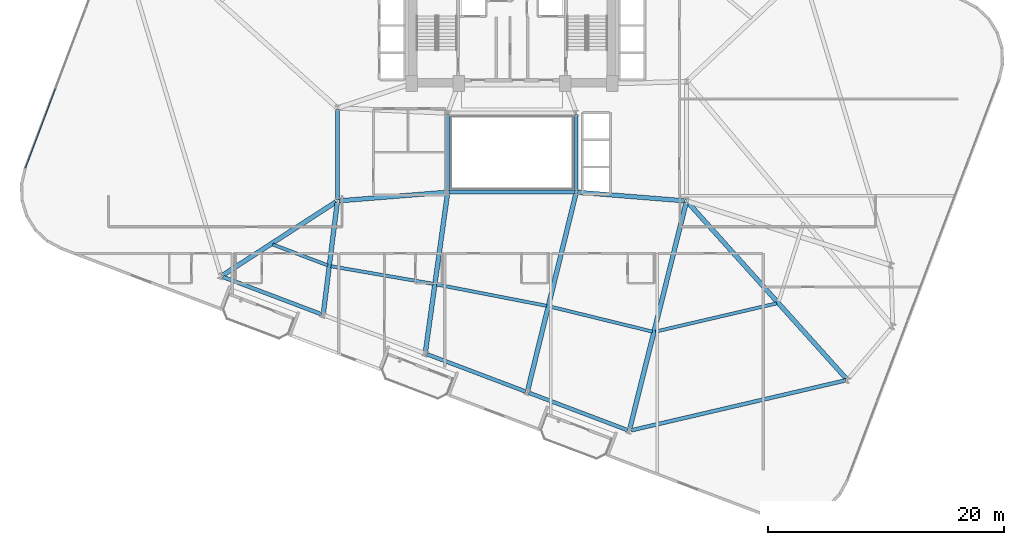
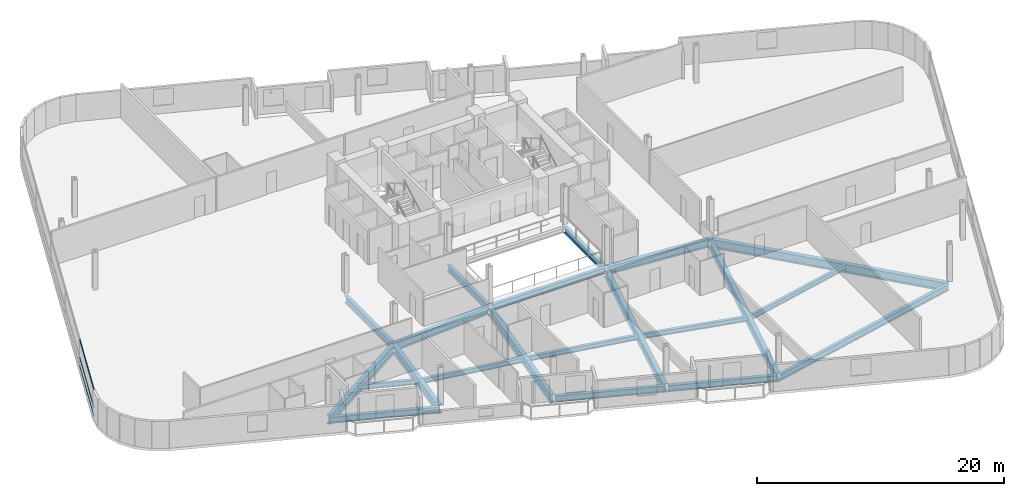
# One storey, part 3 of 25: 21 beams, 3 members, 1 element without a shape of its own.
"""IFC4 building model written with IfcOpenShell, lengths in metres."""

from ifc_helpers import new_model, si_unit, direction, frame, origin, origin_2d, place, context, subcontext, project, spatial, hollow_rectangle, i_section, extrude, material, layer, layer_set, material_profile, profile_set, type_object, element, aggregate, save


model = new_model("IFC4")

# Units and contexts
model_context = context("Model", 3, precision=1e-05, world=origin(), true_north=direction((0.0, 1.0)))
body_context = subcontext(model_context, "Body", "Model", "MODEL_VIEW")
ifc_project = project(units=[si_unit("LENGTHUNIT", "METRE"), si_unit("AREAUNIT", "SQUARE_METRE"), si_unit("VOLUMEUNIT", "CUBIC_METRE"), si_unit("PLANEANGLEUNIT", "RADIAN"), si_unit("MASSUNIT", "GRAM", prefix="KILO")], contexts=[model_context])

# Site, building, storey
site_placement = place(None, origin())
site = spatial("IfcSite", under=ifc_project, at=site_placement, CompositionType="ELEMENT")
building_placement = place(site_placement, origin())
building = spatial("IfcBuilding", under=site, at=building_placement, Name="Varnelok Gate Tower", CompositionType="ELEMENT")
storey_placement = place(building_placement, frame((0.0, 0.0, 113.199951171875)))
storey = spatial("IfcBuildingStorey", under=building, at=storey_placement, Name="L28", CompositionType="ELEMENT", Elevation=113.199951171875)

# Beams
ifc_material_1 = material(Name="Structural Steel ASTM A992 Grade 50", Category="steel")
ifc_material_profile_1 = material_profile(ifc_material_1, i_section(OverallWidth=0.280029296875, OverallDepth=0.462890625, WebThickness=0.0107421875, FlangeThickness=0.017333984375, FilletRadius=0.014892578125, at=origin_2d()), Name="W18X76")
ifc_profile_set_1 = profile_set([ifc_material_profile_1], Name="Structural Steel ASTM A992 Grade 50")
beam_type_1 = type_object("IfcBeamType", Name="BM-JST-W18X76", PredefinedType="JOIST", material=ifc_profile_set_1)
beam_1_placement = place(storey_placement, frame((18.911376953125, 15.11181640625, -0.4814453125), z_axis=(0.935207052986, -0.354101352786, 0.0), x_axis=(0.354101352786, 0.935207052986, 0.0)))
element("IfcBeam", 1, at=beam_1_placement, inside=storey, type_object=beam_type_1, Name="L28 Sector Floor Joist 1", PredefinedType="JOIST", context=body_context, shape_type="SweptSolid", body=[
    extrude(i_section(OverallWidth=0.280029296875, OverallDepth=0.462890625, WebThickness=0.0107421875, FlangeThickness=0.017333984375, FilletRadius=0.014892578125, at=origin_2d()), origin(), (0.0, 0.0, 1.0), 4.992431640625),
])
beam_2_placement = place(storey_placement, frame((23.849365234375, 13.270751953125, -0.4814453125), z_axis=(0.985440255027, -0.170022068484, 0.0), x_axis=(0.170022068484, 0.985440255027, 0.0)))
element("IfcBeam", 2, at=beam_2_placement, inside=storey, type_object=beam_type_1, Name="L28 Sector Floor Joist 2", PredefinedType="JOIST", context=body_context, shape_type="SweptSolid", body=[
    extrude(i_section(OverallWidth=0.280029296875, OverallDepth=0.462890625, WebThickness=0.0107421875, FlangeThickness=0.017333984375, FilletRadius=0.014892578125, at=origin_2d()), origin(), (0.0, 0.0, 1.0), 8.8037109375),
])
beam_3_placement = place(storey_placement, frame((32.80029296875, 11.723388671875, -0.4814453125), z_axis=(0.981678750439, -0.190543514549, 0.0), x_axis=(0.190543514549, 0.981678750439, 0.0)))
element("IfcBeam", 3, at=beam_3_placement, inside=storey, type_object=beam_type_1, Name="L28 Sector Floor Joist 3", PredefinedType="JOIST", context=body_context, shape_type="SweptSolid", body=[
    extrude(i_section(OverallWidth=0.280029296875, OverallDepth=0.462890625, WebThickness=0.0107421875, FlangeThickness=0.017333984375, FilletRadius=0.014892578125, at=origin_2d()), origin(), (0.0, 0.0, 1.0), 9.517333984375),
])
beam_4_placement = place(storey_placement, frame((42.416748046875, 9.85009765625, -0.4814453125), z_axis=(0.971369027211, -0.237575699463, 0.0), x_axis=(0.237575699463, 0.971369027211, 0.0)))
element("IfcBeam", 4, at=beam_4_placement, inside=storey, type_object=beam_type_1, Name="L28 Sector Floor Joist 4", PredefinedType="JOIST", context=body_context, shape_type="SweptSolid", body=[
    extrude(i_section(OverallWidth=0.280029296875, OverallDepth=0.462890625, WebThickness=0.0107421875, FlangeThickness=0.017333984375, FilletRadius=0.014892578125, at=origin_2d()), origin(), (0.0, 0.0, 1.0), 8.935302734375),
])
beam_5_placement = place(storey_placement, frame((51.368408203125, 7.725830078125, -0.4814453125), z_axis=(0.973875869897, 0.227081020854, 0.0), x_axis=(-0.227081020854, 0.973875869897, 0.0)))
element("IfcBeam", 5, at=beam_5_placement, inside=storey, type_object=beam_type_1, Name="L28 Sector Floor Joist 5", PredefinedType="JOIST", context=body_context, shape_type="SweptSolid", body=[
    extrude(i_section(OverallWidth=0.280029296875, OverallDepth=0.462890625, WebThickness=0.0107421875, FlangeThickness=0.017333984375, FilletRadius=0.014892578125, at=origin_2d()), origin(), (0.0, 0.0, 1.0), 10.543701171875),
])
ifc_material_profile_2 = material_profile(ifc_material_1, i_section(OverallWidth=0.35498046875, OverallDepth=0.696044921875, WebThickness=0.015380859375, FlangeThickness=0.02490234375, FilletRadius=0.02001953125, at=origin_2d()), Name="W27X146")
ifc_profile_set_2 = profile_set([ifc_material_profile_2], Name="Structural Steel ASTM A992 Grade 50")
beam_type_2 = type_object("IfcBeamType", Name="BM-PRI-W27X146", PredefinedType="BEAM", material=ifc_profile_set_2)
beam_6_placement = place(storey_placement, frame((24.39990234375, 18.919921875, -0.597900390625), z_axis=(0.0, 1.0, 0.0), x_axis=(-1.0, 0.0, 0.0)))
element("IfcBeam", 6, at=beam_6_placement, inside=storey, type_object=beam_type_2, Name="L28 Core-Atrium Spine Beam 16", PredefinedType="BEAM", context=body_context, shape_type="SweptSolid", body=[
    extrude(i_section(OverallWidth=0.35498046875, OverallDepth=0.696044921875, WebThickness=0.015380859375, FlangeThickness=0.02490234375, FilletRadius=0.02001953125, at=origin_2d()), origin(), (0.0, 0.0, 1.0), 7.64013671875),
])
ifc_material_profile_3 = material_profile(ifc_material_1, i_section(OverallWidth=0.381103515625, OverallDepth=0.77294921875, WebThickness=0.0166015625, FlangeThickness=0.027099609375, FilletRadius=0.02197265625, at=origin_2d()), Name="W30X173")
ifc_profile_set_3 = profile_set([ifc_material_profile_3], Name="Structural Steel ASTM A992 Grade 50")
beam_type_3 = type_object("IfcBeamType", Name="BM-PRI-W30X173", PredefinedType="BEAM", material=ifc_profile_set_3)
for number, where, z_axis, x_axis, name in (
    (7, (24.51953125, 18.8095703125, -0.636474609375), (0.996799206292, 0.07994587128, 0.0), (-0.07994587128, 0.996799206292, 0.0), "L28 Core-Atrium Spine Beam 14"),
    (8, (44.76953125, 19.540283203125, -0.636474609375), (0.996799206292, -0.07994587128, 0.0), (0.07994587128, 0.996799206292, 0.0), "L28 Core-Atrium Spine Beam 18"),
):
    element("IfcBeam", number, at=place(storey_placement, frame(where, z_axis=z_axis, x_axis=x_axis)), inside=storey, type_object=beam_type_3, Name=name, PredefinedType="BEAM", context=body_context, shape_type="SweptSolid", body=[
        extrude(i_section(OverallWidth=0.381103515625, OverallDepth=0.77294921875, WebThickness=0.0166015625, FlangeThickness=0.027099609375, FilletRadius=0.02197265625, at=origin_2d()), origin(), (0.0, 0.0, 1.0), 9.14013671875),
    ])
ifc_material_profile_4 = material_profile(ifc_material_1, i_section(OverallWidth=0.39892578125, OverallDepth=0.85498046875, WebThickness=0.018310546875, FlangeThickness=0.029296875, FilletRadius=0.02392578125, at=origin_2d()), Name="W33X201")
ifc_profile_set_4 = profile_set([ifc_material_profile_4], Name="Structural Steel ASTM A992 Grade 50")
beam_type_4 = type_object("IfcBeamType", Name="BM-PRI-W33X201", PredefinedType="BEAM", material=ifc_profile_set_4)
beam_7_placement = place(storey_placement, frame((24.274169921875, 18.718505859375, -0.677490234375), z_axis=(-0.839398998687, -0.543515704468, 0.0), x_axis=(0.543515704468, -0.839398998687, 0.0)))
element("IfcBeam", 9, at=beam_7_placement, inside=storey, type_object=beam_type_4, Name="L28 Radial Floor Girder 1", PredefinedType="BEAM", context=body_context, shape_type="SweptSolid", body=[
    extrude(i_section(OverallWidth=0.39892578125, OverallDepth=0.85498046875, WebThickness=0.018310546875, FlangeThickness=0.029296875, FilletRadius=0.02392578125, at=origin_2d()), origin(), (0.0, 0.0, 1.0), 11.4453125),
])
beam_8_placement = place(storey_placement, frame((24.38134765625, 18.651123046875, -0.677490234375), z_axis=(-0.124114361033, -0.992267920163, 0.0), x_axis=(0.992267920163, -0.124114361033, 0.0)))
element("IfcBeam", 10, at=beam_8_placement, inside=storey, type_object=beam_type_4, Name="L28 Radial Floor Girder 2", PredefinedType="BEAM", context=body_context, shape_type="SweptSolid", body=[
    extrude(i_section(OverallWidth=0.39892578125, OverallDepth=0.85498046875, WebThickness=0.018310546875, FlangeThickness=0.029296875, FilletRadius=0.02392578125, at=origin_2d()), origin(), (0.0, 0.0, 1.0), 9.43408203125),
])
beam_9_placement = place(storey_placement, frame((33.729248046875, 19.4013671875, -0.677490234375), z_axis=(-0.138054699139, -0.990424605937, 0.0), x_axis=(0.990424605937, -0.138054699139, 0.0)))
element("IfcBeam", 11, at=beam_9_placement, inside=storey, type_object=beam_type_4, Name="L28 Radial Floor Girder 3", PredefinedType="BEAM", context=body_context, shape_type="SweptSolid", body=[
    extrude(i_section(OverallWidth=0.39892578125, OverallDepth=0.85498046875, WebThickness=0.018310546875, FlangeThickness=0.029296875, FilletRadius=0.02392578125, at=origin_2d()), origin(), (0.0, 0.0, 1.0), 13.51611328125),
])
beam_10_placement = place(storey_placement, frame((44.6142578125, 19.404296875, -0.677490234375), z_axis=(-0.238054163128, -0.971251880522, 0.0), x_axis=(0.971251880522, -0.238054163128, 0.0)))
element("IfcBeam", 12, at=beam_10_placement, inside=storey, type_object=beam_type_4, Name="L28 Radial Floor Girder 4", PredefinedType="BEAM", context=body_context, shape_type="SweptSolid", body=[
    extrude(i_section(OverallWidth=0.39892578125, OverallDepth=0.85498046875, WebThickness=0.018310546875, FlangeThickness=0.029296875, FilletRadius=0.02392578125, at=origin_2d()), origin(), (0.0, 0.0, 1.0), 17.160888671875),
])
beam_11_placement = place(storey_placement, frame((53.963623046875, 18.654541015625, -0.677490234375), z_axis=(-0.241818229902, -0.970321567156, 0.0), x_axis=(0.970321567156, -0.241818229902, 0.0)))
element("IfcBeam", 13, at=beam_11_placement, inside=storey, type_object=beam_type_4, Name="L28 Radial Floor Girder 5", PredefinedType="BEAM", context=body_context, shape_type="SweptSolid", body=[
    extrude(i_section(OverallWidth=0.39892578125, OverallDepth=0.85498046875, WebThickness=0.018310546875, FlangeThickness=0.029296875, FilletRadius=0.02392578125, at=origin_2d()), origin(), (0.0, 0.0, 1.0), 19.7802734375),
])
beam_12_placement = place(storey_placement, frame((54.100341796875, 18.6884765625, -0.677490234375), z_axis=(0.668462619128, -0.743745740713, 0.0), x_axis=(0.743745740713, 0.668462619128, 0.0)))
element("IfcBeam", 14, at=beam_12_placement, inside=storey, type_object=beam_type_4, Name="L28 Radial Floor Girder 6", PredefinedType="BEAM", context=body_context, shape_type="SweptSolid", body=[
    extrude(i_section(OverallWidth=0.39892578125, OverallDepth=0.85498046875, WebThickness=0.018310546875, FlangeThickness=0.029296875, FilletRadius=0.02392578125, at=origin_2d()), origin(), (0.0, 0.0, 1.0), 20.099853515625),
])
ifc_material_profile_5 = material_profile(ifc_material_1, i_section(OverallWidth=0.323974609375, OverallDepth=0.611083984375, WebThickness=0.0126953125, FlangeThickness=0.01904296875, FilletRadius=0.01806640625, at=origin_2d()), Name="W24X104")
ifc_profile_set_5 = profile_set([ifc_material_profile_5], Name="Structural Steel ASTM A992 Grade 50")
beam_type_5 = type_object("IfcBeamType", Name="BM-SPN-W24X104", PredefinedType="SPANDREL", material=ifc_profile_set_5)
beam_13_placement = place(storey_placement, frame((33.8701171875, 19.550048828125, -0.555419921875), z_axis=(1.0, 0.0, 0.0), x_axis=(0.0, 1.0, 0.0)))
element("IfcBeam", 15, at=beam_13_placement, inside=storey, type_object=beam_type_5, Name="L28 Core-Atrium Spine Beam 8", PredefinedType="SPANDREL", context=body_context, shape_type="SweptSolid", body=[
    extrude(i_section(OverallWidth=0.323974609375, OverallDepth=0.611083984375, WebThickness=0.0126953125, FlangeThickness=0.01904296875, FilletRadius=0.01806640625, at=origin_2d()), origin(), (0.0, 0.0, 1.0), 10.659912109375),
])
for number, where, z_axis, x_axis, name in (
    (16, (33.75, 19.669921875, -0.555419921875), (0.0, 1.0, 0.0), (-1.0, 0.0, 0.0), "L28 Core-Atrium Spine Beam 10"),
    (17, (44.64990234375, 19.669921875, -0.555419921875), (0.0, 1.0, 0.0), (-1.0, 0.0, 0.0), "L28 Core-Atrium Spine Beam 11"),
):
    element("IfcBeam", number, at=place(storey_placement, frame(where, z_axis=z_axis, x_axis=x_axis)), inside=storey, type_object=beam_type_5, Name=name, PredefinedType="SPANDREL", context=body_context, shape_type="SweptSolid", body=[
        extrude(i_section(OverallWidth=0.323974609375, OverallDepth=0.611083984375, WebThickness=0.0126953125, FlangeThickness=0.01904296875, FilletRadius=0.01806640625, at=origin_2d()), origin(), (0.0, 0.0, 1.0), 6.4599609375),
    ])
for number, where, z_axis, x_axis, name in (
    (18, (14.681396484375, 12.363037109375, -0.555419921875), (0.935225969099, -0.354051389947, 0.0), (0.354051389947, 0.935225969099, 0.0), "L28 Perimeter Spandrel Beam 1"),
    (19, (31.98291015625, 5.81298828125, -0.555419921875), (0.935216936382, -0.354075248928, 0.0), (0.354075248928, 0.935216936382, 0.0), "L28 Perimeter Spandrel Beam 3"),
    (20, (40.6337890625, 2.537841796875, -0.555419921875), (0.935216936382, -0.354075248928, 0.0), (0.354075248928, 0.935216936382, 0.0), "L28 Perimeter Spandrel Beam 4"),
):
    element("IfcBeam", number, at=place(storey_placement, frame(where, z_axis=z_axis, x_axis=x_axis)), inside=storey, type_object=beam_type_5, Name=name, PredefinedType="SPANDREL", context=body_context, shape_type="SweptSolid", body=[
        extrude(i_section(OverallWidth=0.323974609375, OverallDepth=0.611083984375, WebThickness=0.0126953125, FlangeThickness=0.01904296875, FilletRadius=0.01806640625, at=origin_2d()), origin(), (0.0, 0.0, 1.0), 8.949951171875),
    ])
beam_14_placement = place(storey_placement, frame((49.290283203125, -0.64990234375, -0.555419921875), z_axis=(0.973880317885, 0.227061944052, 0.0), x_axis=(-0.227061944052, 0.973880317885, 0.0)))
element("IfcBeam", 21, at=beam_14_placement, inside=storey, type_object=beam_type_5, Name="L28 Perimeter Spandrel Beam 5", PredefinedType="SPANDREL", context=body_context, shape_type="SweptSolid", body=[
    extrude(i_section(OverallWidth=0.323974609375, OverallDepth=0.611083984375, WebThickness=0.0126953125, FlangeThickness=0.01904296875, FilletRadius=0.01806640625, at=origin_2d()), origin(), (0.0, 0.0, 1.0), 18.688232421875),
])

# Curtain wall, members
ifc_material_2 = material(Name="Anodized Aluminum Alloy 6063-T6", Category="aluminium")
ifc_layer = layer(ifc_material_2, 0.179931640625)
ifc_layer_set = layer_set([ifc_layer], Name="Anodized Aluminum Alloy 6063-T6")
curtain_wall_type = type_object("IfcCurtainWallType", Name="CW3-HOTEL-VISION", PredefinedType="USERDEFINED", material=ifc_layer_set)
curtain_wall_placement = place(storey_placement, origin())
curtain_wall = element("IfcCurtainWall", 22, at=curtain_wall_placement, inside=storey, type_object=curtain_wall_type, Name="L28 West End Vision Curtain Wall", ObjectType="UNITISED CURTAIN WALL", PredefinedType="USERDEFINED")
ifc_material_profile_6 = material_profile(ifc_material_2, hollow_rectangle(XDim=0.06494140625, YDim=0.159912109375, WallThickness=0.00390625, at=origin_2d()), Name="ALU160X65X4")
ifc_profile_set_6 = profile_set([ifc_material_profile_6], Name="Anodized Aluminum Alloy 6063-T6")
member_type = type_object("IfcMemberType", Name="CW-TRAN-160", PredefinedType="USERDEFINED", material=ifc_profile_set_6)
member_1_placement = place(storey_placement, frame((-2.031982421875, 21.625732421875, 0.032470703125), z_axis=(0.35408846525, 0.935211932546, 0.0), x_axis=(-0.935211932546, 0.35408846525, 0.0)))
member_1 = element("IfcMember", 23, at=member_1_placement, type_object=member_type, Name="CW3 transom 1.1", ObjectType="TRANSOM", PredefinedType="USERDEFINED", context=body_context, shape_type="SweptSolid", body=[
    extrude(hollow_rectangle(XDim=0.06494140625, YDim=0.159912109375, WallThickness=0.00390625, at=origin_2d()), origin(), (0.0, 0.0, 1.0), 7.142333984375),
])
member_2_placement = place(storey_placement, frame((-2.031982421875, 21.625732421875, 0.900146484375), z_axis=(0.35408846525, 0.935211932546, 0.0), x_axis=(-0.935211932546, 0.35408846525, 0.0)))
member_2 = element("IfcMember", 24, at=member_2_placement, type_object=member_type, Name="CW3 transom 1.2", ObjectType="TRANSOM", PredefinedType="USERDEFINED", context=body_context, shape_type="SweptSolid", body=[
    extrude(hollow_rectangle(XDim=0.06494140625, YDim=0.159912109375, WallThickness=0.00390625, at=origin_2d()), origin(), (0.0, 0.0, 1.0), 7.142333984375),
])
member_3_placement = place(storey_placement, frame((-2.031982421875, 21.625732421875, 2.62744140625), z_axis=(0.35408846525, 0.935211932546, 0.0), x_axis=(-0.935211932546, 0.35408846525, 0.0)))
member_3 = element("IfcMember", 25, at=member_3_placement, type_object=member_type, Name="CW3 transom 1.3", ObjectType="TRANSOM", PredefinedType="USERDEFINED", context=body_context, shape_type="SweptSolid", body=[
    extrude(hollow_rectangle(XDim=0.06494140625, YDim=0.159912109375, WallThickness=0.00390625, at=origin_2d()), origin(), (0.0, 0.0, 1.0), 7.142333984375),
])
aggregate(curtain_wall, [member_1, member_2, member_3])

save(model, "model.ifc")
